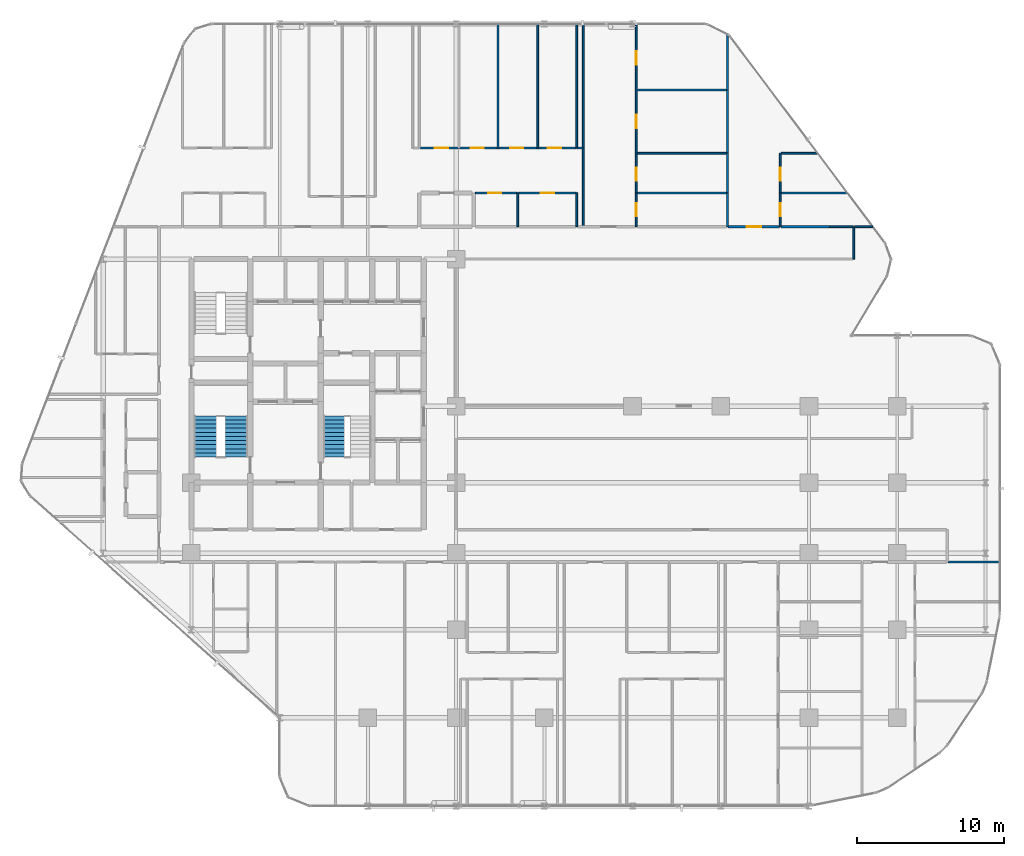
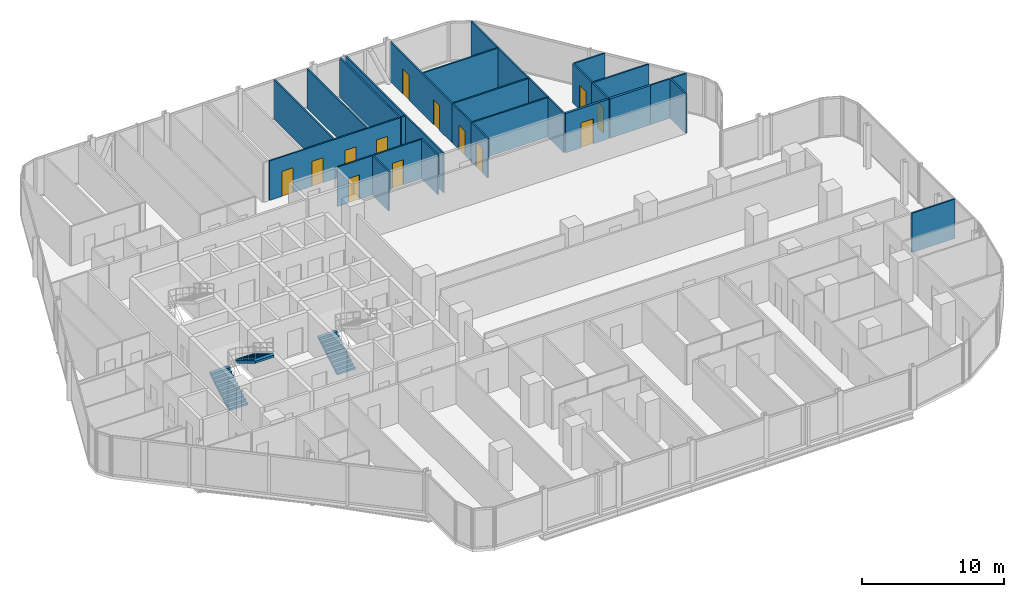
# One storey, part 31 of 34: 29 walls, 13 doors, 3 stair flights, 13 openings, 2 elements without a shape of their own.
"""IFC4 building model written with IfcOpenShell, lengths in metres."""

from ifc_helpers import new_model, si_unit, direction, frame, frame_2d, origin, place, context, subcontext, project, spatial, polyline, rectangle, outline, extrude, material, layer, layer_set, type_object, element, fill, aggregate, save


model = new_model("IFC4")

# Units and contexts
model_context = context("Model", 3, precision=1e-05, world=origin(), true_north=direction((0.0, 1.0)))
body_context = subcontext(model_context, "Body", "Model", "MODEL_VIEW")
ifc_project = project(units=[si_unit("LENGTHUNIT", "METRE"), si_unit("AREAUNIT", "SQUARE_METRE"), si_unit("VOLUMEUNIT", "CUBIC_METRE"), si_unit("PLANEANGLEUNIT", "RADIAN"), si_unit("MASSUNIT", "GRAM", prefix="KILO")], contexts=[model_context])

# Site, building, storey
site_placement = place(None, origin())
site = spatial("IfcSite", under=ifc_project, at=site_placement, CompositionType="ELEMENT")
building_placement = place(site_placement, origin())
building = spatial("IfcBuilding", under=site, at=building_placement, Name="Keshet Zoharim Tower", CompositionType="ELEMENT")
storey_placement = place(building_placement, frame((0.0, 0.0, 70.10009765625)))
storey = spatial("IfcBuildingStorey", under=building, at=storey_placement, Name="L16", CompositionType="ELEMENT", Elevation=70.10009765625)

# Wall, opening, door
ifc_material_1 = material(Name="Gypsum Plasterboard", Category="gypsum")
ifc_layer_1 = layer(ifc_material_1, 0.179931640625)
ifc_layer_set_1 = layer_set([ifc_layer_1], Name="Gypsum Plasterboard")
wall_type_1 = type_object("IfcWallType", Name="WL-CORR-180", PredefinedType="STANDARD", material=ifc_layer_set_1)
wall_1_placement = place(storey_placement, frame((51.4951171875, 40.10009765625, 0.0), z_axis=(0.0, 0.0, 1.0), x_axis=(1.0, 0.0, 0.0)))
wall_1 = element("IfcWall", 1, at=wall_1_placement, inside=storey, type_object=wall_type_1, Name="L16 Interior Wall 199", PredefinedType="STANDARD", context=body_context, shape_type="SweptSolid", body=[
    extrude(rectangle(XDim=3.509765625, YDim=0.179931640625, at=frame_2d((1.7548828125, 0.0))), origin(), (0.0, 0.0, 1.0), 3.385009765625),
])
opening_1_placement = place(wall_1_placement, frame((1.2548828125, 0.0, 0.0)))
opening_1 = element("IfcOpeningElement", 2, at=opening_1_placement, cuts=wall_1, Name="Opening D-F310", PredefinedType="OPENING", context=body_context, shape_type="SweptSolid", body=[
    extrude(rectangle(XDim=1.0, YDim=2.14990234375, at=frame_2d((0.5, 1.074951171875))), frame((0.0, 0.10009765625, 0.0), z_axis=(0.0, -1.0, 0.0), x_axis=(1.0, 0.0, 0.0)), (0.0, 0.0, 1.0), 0.199951171875),
])
ifc_material_2 = material(Name="Hardwood Timber", Category="wood")
door_type_1 = type_object("IfcDoorType", Name="DR-FD30-100", OperationType="NOTDEFINED", PredefinedType="DOOR", material=ifc_material_2)
door_1_placement = place(opening_1_placement, origin())
door_1 = element("IfcDoor", 3, at=door_1_placement, inside=storey, type_object=door_type_1, Name="Apartment 1609 Entrance Door", OperationType="SINGLE_SWING_LEFT", OverallHeight=2.14990234375, OverallWidth=1.0, PredefinedType="DOOR", context=body_context, shape_type="SweptSolid", body=[
    extrude(rectangle(XDim=1.0, YDim=2.14990234375, at=frame_2d((0.5, 1.074951171875))), frame((0.0, 0.02490234375, 0.0), z_axis=(0.0, -1.0, 0.0), x_axis=(1.0, 0.0, 0.0)), (0.0, 0.0, 1.0), 0.050048828125),
])
fill(opening_1, door_1)

# Walls
wall_2_placement = place(storey_placement, frame((55.094970703125, 40.10009765625, 0.0), z_axis=(0.0, 0.0, 1.0), x_axis=(1.0, 0.0, 0.0)))
element("IfcWall", 4, at=wall_2_placement, inside=storey, type_object=wall_type_1, Name="L16 Interior Wall 200", PredefinedType="STANDARD", context=body_context, shape_type="SweptSolid", body=[
    extrude(rectangle(XDim=3.304931640625, YDim=0.179931640625, at=frame_2d((1.65234375, 0.0))), origin(), (0.0, 0.0, 1.0), 3.385009765625),
])
ifc_layer_2 = layer(ifc_material_1, 0.1201171875)
ifc_layer_set_2 = layer_set([ifc_layer_2], Name="Gypsum Plasterboard")
wall_type_2 = type_object("IfcWallType", Name="WL-PART-120", PredefinedType="PARTITIONING", material=ifc_layer_set_2)
for number, where, z_axis, x_axis, name in (
    (5, (35.85009765625, 45.449951171875, 0.0), (0.0, 0.0, 1.0), (0.0, 1.0, 0.0), "L16 Interior Wall 075"),
    (6, (38.550048828125, 45.449951171875, 0.0), (0.0, 0.0, 1.0), (0.0, 1.0, 0.0), "L16 Interior Wall 079"),
):
    element("IfcWall", number, at=place(storey_placement, frame(where, z_axis=z_axis, x_axis=x_axis)), inside=storey, type_object=wall_type_2, Name=name, PredefinedType="PARTITIONING", context=body_context, shape_type="SweptSolid", body=[
        extrude(rectangle(XDim=8.43994140625, YDim=0.1201171875, at=frame_2d((4.219970703125, 0.0))), origin(), (0.0, 0.0, 1.0), 3.385009765625),
    ])
wall_3_placement = place(storey_placement, frame((41.199951171875, 40.10009765625, 0.0), z_axis=(0.0, 0.0, 1.0), x_axis=(0.0, 1.0, 0.0)))
element("IfcWall", 7, at=wall_3_placement, inside=storey, type_object=wall_type_2, Name="L16 Interior Wall 083", PredefinedType="PARTITIONING", context=body_context, shape_type="SweptSolid", body=[
    extrude(rectangle(XDim=2.2998046875, YDim=0.1201171875, at=frame_2d((1.14990234375, 0.0))), origin(), (0.0, 0.0, 1.0), 3.385009765625),
])
wall_4_placement = place(storey_placement, frame((41.199951171875, 45.449951171875, 0.0), z_axis=(0.0, 0.0, 1.0), x_axis=(0.0, 1.0, 0.0)))
element("IfcWall", 8, at=wall_4_placement, inside=storey, type_object=wall_type_2, Name="L16 Interior Wall 084", PredefinedType="PARTITIONING", context=body_context, shape_type="SweptSolid", body=[
    extrude(rectangle(XDim=8.43994140625, YDim=0.1201171875, at=frame_2d((4.219970703125, 0.0))), origin(), (0.0, 0.0, 1.0), 3.385009765625),
])
wall_5_placement = place(storey_placement, frame((41.64990234375, 40.10009765625, 0.0), z_axis=(0.0, 0.0, 1.0), x_axis=(0.0, 1.0, 0.0)))
element("IfcWall", 9, at=wall_5_placement, inside=storey, type_object=wall_type_2, Name="L16 Interior Wall 085", PredefinedType="PARTITIONING", context=body_context, shape_type="SweptSolid", body=[
    extrude(rectangle(XDim=13.789794921875, YDim=0.1201171875, at=frame_2d((6.89501953125, 0.0))), origin(), (0.0, 0.0, 1.0), 3.385009765625),
])

# Wall, opening, door
wall_6_placement = place(storey_placement, frame((45.25, 40.10009765625, 0.0), z_axis=(0.0, 0.0, 1.0), x_axis=(0.0, 1.0, 0.0)))
wall_6 = element("IfcWall", 10, at=wall_6_placement, inside=storey, type_object=wall_type_2, Name="L16 Interior Wall 089", PredefinedType="PARTITIONING", context=body_context, shape_type="SweptSolid", body=[
    extrude(rectangle(XDim=2.2998046875, YDim=0.1201171875, at=frame_2d((1.14990234375, 0.0))), origin(), (0.0, 0.0, 1.0), 3.385009765625),
])
opening_2_placement = place(wall_6_placement, frame((0.699951171875, 0.0, 0.0)))
opening_2 = element("IfcOpeningElement", 11, at=opening_2_placement, cuts=wall_6, Name="Opening D-IN90", PredefinedType="OPENING", context=body_context, shape_type="SweptSolid", body=[
    extrude(rectangle(XDim=0.89990234375, YDim=2.14990234375, at=frame_2d((0.449951171875, 1.074951171875))), frame((0.0, 0.070068359375, 0.0), z_axis=(0.0, -1.0, 0.0), x_axis=(1.0, 0.0, 0.0)), (0.0, 0.0, 1.0), 0.14013671875),
])
door_type_2 = type_object("IfcDoorType", Name="DR-INT-090", OperationType="NOTDEFINED", PredefinedType="DOOR", material=ifc_material_2)
door_2_placement = place(opening_2_placement, origin())
door_2 = element("IfcDoor", 12, at=door_2_placement, inside=storey, type_object=door_type_2, Name="Apartment 1608 Kitchen Door", OperationType="SINGLE_SWING_RIGHT", OverallHeight=2.14990234375, OverallWidth=0.89990234375, PredefinedType="DOOR", context=body_context, shape_type="SweptSolid", body=[
    extrude(rectangle(XDim=0.89990234375, YDim=2.14990234375, at=frame_2d((0.449951171875, 1.074951171875))), frame((0.0, 0.02490234375, 0.0), z_axis=(0.0, -1.0, 0.0), x_axis=(1.0, 0.0, 0.0)), (0.0, 0.0, 1.0), 0.050048828125),
])
fill(opening_2, door_2)

# Wall, openings, doors
wall_7_placement = place(storey_placement, frame((45.25, 45.10009765625, 0.0), z_axis=(0.0, 0.0, 1.0), x_axis=(0.0, 1.0, 0.0)))
wall_7 = element("IfcWall", 13, at=wall_7_placement, inside=storey, type_object=wall_type_2, Name="L16 Interior Wall 091", PredefinedType="PARTITIONING", context=body_context, shape_type="SweptSolid", body=[
    extrude(rectangle(XDim=8.789794921875, YDim=0.1201171875, at=frame_2d((4.39501953125, 0.0))), origin(), (0.0, 0.0, 1.0), 3.385009765625),
])
opening_3_placement = place(wall_7_placement, frame((1.7119140625, 0.0, 0.0)))
opening_3 = element("IfcOpeningElement", 14, at=opening_3_placement, cuts=wall_7, Name="Opening D-IN90", PredefinedType="OPENING", context=body_context, shape_type="SweptSolid", body=[
    extrude(rectangle(XDim=0.89990234375, YDim=2.14990234375, at=frame_2d((0.449951171875, 1.074951171875))), frame((0.0, 0.070068359375, 0.0), z_axis=(0.0, -1.0, 0.0), x_axis=(1.0, 0.0, 0.0)), (0.0, 0.0, 1.0), 0.14013671875),
])
opening_4_placement = place(wall_7_placement, frame((6.030029296875, 0.0, 0.0)))
opening_4 = element("IfcOpeningElement", 15, at=opening_4_placement, cuts=wall_7, Name="Opening D-IN90", PredefinedType="OPENING", context=body_context, shape_type="SweptSolid", body=[
    extrude(rectangle(XDim=0.89990234375, YDim=2.14990234375, at=frame_2d((0.449951171875, 1.074951171875))), frame((0.0, 0.070068359375, 0.0), z_axis=(0.0, -1.0, 0.0), x_axis=(1.0, 0.0, 0.0)), (0.0, 0.0, 1.0), 0.14013671875),
])
door_3_placement = place(opening_3_placement, origin())
door_3 = element("IfcDoor", 16, at=door_3_placement, inside=storey, type_object=door_type_2, Name="Apartment 1608 Bedroom 1 Door", OperationType="SINGLE_SWING_RIGHT", OverallHeight=2.14990234375, OverallWidth=0.89990234375, PredefinedType="DOOR", context=body_context, shape_type="SweptSolid", body=[
    extrude(rectangle(XDim=0.89990234375, YDim=2.14990234375, at=frame_2d((0.449951171875, 1.074951171875))), frame((0.0, 0.02490234375, 0.0), z_axis=(0.0, -1.0, 0.0), x_axis=(1.0, 0.0, 0.0)), (0.0, 0.0, 1.0), 0.050048828125),
])
fill(opening_3, door_3)
door_4_placement = place(opening_4_placement, origin())
door_4 = element("IfcDoor", 17, at=door_4_placement, inside=storey, type_object=door_type_2, Name="Apartment 1608 Bedroom 2 Door", OperationType="SINGLE_SWING_LEFT", OverallHeight=2.14990234375, OverallWidth=0.89990234375, PredefinedType="DOOR", context=body_context, shape_type="SweptSolid", body=[
    extrude(rectangle(XDim=0.89990234375, YDim=2.14990234375, at=frame_2d((0.449951171875, 1.074951171875))), frame((0.0, 0.02490234375, 0.0), z_axis=(0.0, -1.0, 0.0), x_axis=(1.0, 0.0, 0.0)), (0.0, 0.0, 1.0), 0.050048828125),
])
fill(opening_4, door_4)

# Walls
wall_8_placement = place(storey_placement, frame((51.449951171875, 40.10009765625, 0.0), z_axis=(0.0, 0.0, 1.0), x_axis=(0.0, 1.0, 0.0)))
element("IfcWall", 18, at=wall_8_placement, inside=storey, type_object=wall_type_2, Name="L16 Interior Wall 097", PredefinedType="PARTITIONING", context=body_context, shape_type="SweptSolid", body=[
    extrude(rectangle(XDim=2.2998046875, YDim=0.1201171875, at=frame_2d((1.14990234375, 0.0))), origin(), (0.0, 0.0, 1.0), 3.385009765625),
])
wall_9_placement = place(storey_placement, frame((51.449951171875, 45.10009765625, 0.0), z_axis=(0.0, 0.0, 1.0), x_axis=(0.0, 1.0, 0.0)))
element("IfcWall", 19, at=wall_9_placement, inside=storey, type_object=wall_type_2, Name="L16 Interior Wall 099", PredefinedType="PARTITIONING", context=body_context, shape_type="SweptSolid", body=[
    extrude(rectangle(XDim=8.06494140625, YDim=0.1201171875, at=frame_2d((4.032470703125, 0.0))), origin(), (0.0, 0.0, 1.0), 3.385009765625),
])

# Wall, opening, door
wall_10_placement = place(storey_placement, frame((55.050048828125, 40.10009765625, 0.0), z_axis=(0.0, 0.0, 1.0), x_axis=(0.0, 1.0, 0.0)))
wall_10 = element("IfcWall", 20, at=wall_10_placement, inside=storey, type_object=wall_type_2, Name="L16 Interior Wall 103", PredefinedType="PARTITIONING", context=body_context, shape_type="SweptSolid", body=[
    extrude(rectangle(XDim=2.2998046875, YDim=0.1201171875, at=frame_2d((1.14990234375, 0.0))), origin(), (0.0, 0.0, 1.0), 3.385009765625),
])
opening_5_placement = place(wall_10_placement, frame((0.699951171875, 0.0, 0.0)))
opening_5 = element("IfcOpeningElement", 21, at=opening_5_placement, cuts=wall_10, Name="Opening D-IN90", PredefinedType="OPENING", context=body_context, shape_type="SweptSolid", body=[
    extrude(rectangle(XDim=0.89990234375, YDim=2.14990234375, at=frame_2d((0.449951171875, 1.074951171875))), frame((0.0, 0.070068359375, 0.0), z_axis=(0.0, -1.0, 0.0), x_axis=(1.0, 0.0, 0.0)), (0.0, 0.0, 1.0), 0.14013671875),
])
door_5_placement = place(opening_5_placement, origin())
door_5 = element("IfcDoor", 22, at=door_5_placement, inside=storey, type_object=door_type_2, Name="Apartment 1609 Kitchen Door", OperationType="SINGLE_SWING_LEFT", OverallHeight=2.14990234375, OverallWidth=0.89990234375, PredefinedType="DOOR", context=body_context, shape_type="SweptSolid", body=[
    extrude(rectangle(XDim=0.89990234375, YDim=2.14990234375, at=frame_2d((0.449951171875, 1.074951171875))), frame((0.0, 0.02490234375, 0.0), z_axis=(0.0, -1.0, 0.0), x_axis=(1.0, 0.0, 0.0)), (0.0, 0.0, 1.0), 0.050048828125),
])
fill(opening_5, door_5)

# Walls
wall_11_placement = place(storey_placement, frame((60.050048828125, 37.889892578125, 0.0), z_axis=(0.0, 0.0, 1.0), x_axis=(0.0, 1.0, 0.0)))
element("IfcWall", 23, at=wall_11_placement, inside=storey, type_object=wall_type_2, Name="L16 Interior Wall 105", PredefinedType="PARTITIONING", context=body_context, shape_type="SweptSolid", body=[
    extrude(rectangle(XDim=2.2001953125, YDim=0.1201171875, at=frame_2d((1.10009765625, 0.0))), origin(), (0.0, 0.0, 1.0), 3.385009765625),
])
wall_12_placement = place(storey_placement, frame((58.39990234375, 40.10009765625, 0.0), z_axis=(0.0, 0.0, 1.0), x_axis=(1.0, 0.0, 0.0)))
element("IfcWall", 24, at=wall_12_placement, inside=storey, type_object=wall_type_2, Name="L16 Interior Wall 201", PredefinedType="PARTITIONING", context=body_context, shape_type="SweptSolid", body=[
    extrude(rectangle(XDim=1.60498046875, YDim=0.1201171875, at=frame_2d((0.802490234375, 0.0))), origin(), (0.0, 0.0, 1.0), 3.385009765625),
])
wall_13_placement = place(storey_placement, frame((60.094970703125, 40.10009765625, 0.0), z_axis=(0.0, 0.0, 1.0), x_axis=(1.0, 0.0, 0.0)))
element("IfcWall", 25, at=wall_13_placement, inside=storey, type_object=wall_type_2, Name="L16 Interior Wall 202", PredefinedType="PARTITIONING", context=body_context, shape_type="SweptSolid", body=[
    extrude(rectangle(XDim=1.2451171875, YDim=0.1201171875, at=frame_2d((0.62255859375, 0.0))), origin(), (0.0, 0.0, 1.0), 3.385009765625),
])

# Wall, opening, door
wall_14_placement = place(storey_placement, frame((37.25, 42.39990234375, 0.0), z_axis=(0.0, 0.0, 1.0), x_axis=(1.0, 0.0, 0.0)))
wall_14 = element("IfcWall", 26, at=wall_14_placement, inside=storey, type_object=wall_type_2, Name="L16 Interior Wall 208", PredefinedType="PARTITIONING", context=body_context, shape_type="SweptSolid", body=[
    extrude(rectangle(XDim=3.9150390625, YDim=0.1201171875, at=frame_2d((1.95751953125, 0.0))), origin(), (0.0, 0.0, 1.0), 3.385009765625),
])
opening_6_placement = place(wall_14_placement, frame((1.508056640625, 0.0, 0.0)))
opening_6 = element("IfcOpeningElement", 27, at=opening_6_placement, cuts=wall_14, Name="Opening D-IN90", PredefinedType="OPENING", context=body_context, shape_type="SweptSolid", body=[
    extrude(rectangle(XDim=0.89990234375, YDim=2.14990234375, at=frame_2d((0.449951171875, 1.074951171875))), frame((0.0, 0.070068359375, 0.0), z_axis=(0.0, -1.0, 0.0), x_axis=(1.0, 0.0, 0.0)), (0.0, 0.0, 1.0), 0.14013671875),
])
door_6_placement = place(opening_6_placement, origin())
door_6 = element("IfcDoor", 28, at=door_6_placement, inside=storey, type_object=door_type_2, Name="Apartment 1607 Kitchen Door", OperationType="SINGLE_SWING_RIGHT", OverallHeight=2.14990234375, OverallWidth=0.89990234375, PredefinedType="DOOR", context=body_context, shape_type="SweptSolid", body=[
    extrude(rectangle(XDim=0.89990234375, YDim=2.14990234375, at=frame_2d((0.449951171875, 1.074951171875))), frame((0.0, 0.02490234375, 0.0), z_axis=(0.0, -1.0, 0.0), x_axis=(1.0, 0.0, 0.0)), (0.0, 0.0, 1.0), 0.050048828125),
])
fill(opening_6, door_6)

# Wall, openings, doors
wall_15_placement = place(storey_placement, frame((30.544921875, 45.449951171875, 0.0), z_axis=(0.0, 0.0, 1.0), x_axis=(1.0, 0.0, 0.0)))
wall_15 = element("IfcWall", 29, at=wall_15_placement, inside=storey, type_object=wall_type_2, Name="L16 Interior Wall 216", PredefinedType="PARTITIONING", context=body_context, shape_type="SweptSolid", body=[
    extrude(rectangle(XDim=10.6201171875, YDim=0.1201171875, at=frame_2d((5.31005859375, 0.0))), origin(), (0.0, 0.0, 1.0), 3.385009765625),
])
opening_7_placement = place(wall_15_placement, frame((1.01904296875, 0.0, 0.0)))
opening_7 = element("IfcOpeningElement", 30, at=opening_7_placement, cuts=wall_15, Name="Opening D-IN90", PredefinedType="OPENING", context=body_context, shape_type="SweptSolid", body=[
    extrude(rectangle(XDim=0.89990234375, YDim=2.14990234375, at=frame_2d((0.449951171875, 1.074951171875))), frame((0.0, 0.070068359375, 0.0), z_axis=(0.0, -1.0, 0.0), x_axis=(1.0, 0.0, 0.0)), (0.0, 0.0, 1.0), 0.14013671875),
])
opening_8_placement = place(wall_15_placement, frame((3.449951171875, 0.0, 0.0)))
opening_8 = element("IfcOpeningElement", 31, at=opening_8_placement, cuts=wall_15, Name="Opening D-IN90", PredefinedType="OPENING", context=body_context, shape_type="SweptSolid", body=[
    extrude(rectangle(XDim=0.89990234375, YDim=2.14990234375, at=frame_2d((0.449951171875, 1.074951171875))), frame((0.0, 0.070068359375, 0.0), z_axis=(0.0, -1.0, 0.0), x_axis=(1.0, 0.0, 0.0)), (0.0, 0.0, 1.0), 0.14013671875),
])
opening_9_placement = place(wall_15_placement, frame((6.126953125, 0.0, 0.0)))
opening_9 = element("IfcOpeningElement", 32, at=opening_9_placement, cuts=wall_15, Name="Opening D-IN90", PredefinedType="OPENING", context=body_context, shape_type="SweptSolid", body=[
    extrude(rectangle(XDim=0.89990234375, YDim=2.14990234375, at=frame_2d((0.449951171875, 1.074951171875))), frame((0.0, 0.070068359375, 0.0), z_axis=(0.0, -1.0, 0.0), x_axis=(1.0, 0.0, 0.0)), (0.0, 0.0, 1.0), 0.14013671875),
])
opening_10_placement = place(wall_15_placement, frame((8.700927734375, 0.0, 0.0)))
opening_10 = element("IfcOpeningElement", 33, at=opening_10_placement, cuts=wall_15, Name="Opening D-IN90", PredefinedType="OPENING", context=body_context, shape_type="SweptSolid", body=[
    extrude(rectangle(XDim=0.89990234375, YDim=2.14990234375, at=frame_2d((0.449951171875, 1.074951171875))), frame((0.0, 0.070068359375, 0.0), z_axis=(0.0, -1.0, 0.0), x_axis=(1.0, 0.0, 0.0)), (0.0, 0.0, 1.0), 0.14013671875),
])
door_7_placement = place(opening_7_placement, origin())
door_7 = element("IfcDoor", 34, at=door_7_placement, inside=storey, type_object=door_type_2, Name="Apartment 1607 Bedroom 1 Door", OperationType="SINGLE_SWING_LEFT", OverallHeight=2.14990234375, OverallWidth=0.89990234375, PredefinedType="DOOR", context=body_context, shape_type="SweptSolid", body=[
    extrude(rectangle(XDim=0.89990234375, YDim=2.14990234375, at=frame_2d((0.449951171875, 1.074951171875))), frame((0.0, 0.02490234375, 0.0), z_axis=(0.0, -1.0, 0.0), x_axis=(1.0, 0.0, 0.0)), (0.0, 0.0, 1.0), 0.050048828125),
])
fill(opening_7, door_7)
door_8_placement = place(opening_8_placement, origin())
door_8 = element("IfcDoor", 35, at=door_8_placement, inside=storey, type_object=door_type_2, Name="Apartment 1607 Bedroom 2 Door", OperationType="SINGLE_SWING_RIGHT", OverallHeight=2.14990234375, OverallWidth=0.89990234375, PredefinedType="DOOR", context=body_context, shape_type="SweptSolid", body=[
    extrude(rectangle(XDim=0.89990234375, YDim=2.14990234375, at=frame_2d((0.449951171875, 1.074951171875))), frame((0.0, 0.02490234375, 0.0), z_axis=(0.0, -1.0, 0.0), x_axis=(1.0, 0.0, 0.0)), (0.0, 0.0, 1.0), 0.050048828125),
])
fill(opening_8, door_8)
door_9_placement = place(opening_9_placement, origin())
door_9 = element("IfcDoor", 36, at=door_9_placement, inside=storey, type_object=door_type_2, Name="Apartment 1607 Bedroom 3 Door", OperationType="SINGLE_SWING_LEFT", OverallHeight=2.14990234375, OverallWidth=0.89990234375, PredefinedType="DOOR", context=body_context, shape_type="SweptSolid", body=[
    extrude(rectangle(XDim=0.89990234375, YDim=2.14990234375, at=frame_2d((0.449951171875, 1.074951171875))), frame((0.0, 0.02490234375, 0.0), z_axis=(0.0, -1.0, 0.0), x_axis=(1.0, 0.0, 0.0)), (0.0, 0.0, 1.0), 0.050048828125),
])
fill(opening_9, door_9)
door_10_placement = place(opening_10_placement, origin())
door_10 = element("IfcDoor", 37, at=door_10_placement, inside=storey, type_object=door_type_2, Name="Apartment 1607 Bedroom 4 Door", OperationType="SINGLE_SWING_RIGHT", OverallHeight=2.14990234375, OverallWidth=0.89990234375, PredefinedType="DOOR", context=body_context, shape_type="SweptSolid", body=[
    extrude(rectangle(XDim=0.89990234375, YDim=2.14990234375, at=frame_2d((0.449951171875, 1.074951171875))), frame((0.0, 0.02490234375, 0.0), z_axis=(0.0, -1.0, 0.0), x_axis=(1.0, 0.0, 0.0)), (0.0, 0.0, 1.0), 0.050048828125),
])
fill(opening_10, door_10)

# Walls
wall_16_placement = place(storey_placement, frame((41.2548828125, 45.449951171875, 0.0), z_axis=(0.0, 0.0, 1.0), x_axis=(1.0, 0.0, 0.0)))
element("IfcWall", 38, at=wall_16_placement, inside=storey, type_object=wall_type_2, Name="L16 Interior Wall 217", PredefinedType="PARTITIONING", context=body_context, shape_type="SweptSolid", body=[
    extrude(rectangle(XDim=0.360107421875, YDim=0.1201171875, at=frame_2d((0.18017578125, 0.0))), origin(), (0.0, 0.0, 1.0), 3.385009765625),
])
wall_17_placement = place(storey_placement, frame((45.304931640625, 49.39990234375, 0.0), z_axis=(0.0, 0.0, 1.0), x_axis=(1.0, 0.0, 0.0)))
element("IfcWall", 39, at=wall_17_placement, inside=storey, type_object=wall_type_2, Name="L16 Interior Wall 218", PredefinedType="PARTITIONING", context=body_context, shape_type="SweptSolid", body=[
    extrude(rectangle(XDim=6.10009765625, YDim=0.1201171875, at=frame_2d((3.050048828125, 0.0))), origin(), (0.0, 0.0, 1.0), 3.385009765625),
])
ifc_layer_3 = layer(ifc_material_1, 0.1201171875)
ifc_layer_set_3 = layer_set([ifc_layer_3], Name="Gypsum Plasterboard")
wall_type_3 = type_object("IfcWallType", Name="WL-WET-120", PredefinedType="PARTITIONING", material=ifc_layer_set_3)
wall_18_placement = place(storey_placement, frame((37.199951171875, 40.10009765625, 0.0), z_axis=(0.0, 0.0, 1.0), x_axis=(0.0, 1.0, 0.0)))
element("IfcWall", 40, at=wall_18_placement, inside=storey, type_object=wall_type_3, Name="L16 Interior Wall 078", PredefinedType="PARTITIONING", context=body_context, shape_type="SweptSolid", body=[
    extrude(rectangle(XDim=2.2998046875, YDim=0.1201171875, at=frame_2d((1.14990234375, 0.0))), origin(), (0.0, 0.0, 1.0), 3.385009765625),
])

# Wall, opening, door
wall_19_placement = place(storey_placement, frame((45.25, 42.39990234375, 0.0), z_axis=(0.0, 0.0, 1.0), x_axis=(0.0, 1.0, 0.0)))
wall_19 = element("IfcWall", 41, at=wall_19_placement, inside=storey, type_object=wall_type_3, Name="L16 Interior Wall 090", PredefinedType="PARTITIONING", context=body_context, shape_type="SweptSolid", body=[
    extrude(rectangle(XDim=2.7001953125, YDim=0.1201171875, at=frame_2d((1.35009765625, 0.0))), origin(), (0.0, 0.0, 1.0), 3.385009765625),
])
opening_11_placement = place(wall_19_placement, frame((0.827880859375, 0.0, 0.0)))
opening_11 = element("IfcOpeningElement", 42, at=opening_11_placement, cuts=wall_19, Name="Opening D-WT90", PredefinedType="OPENING", context=body_context, shape_type="SweptSolid", body=[
    extrude(rectangle(XDim=0.89990234375, YDim=2.10009765625, at=frame_2d((0.449951171875, 1.050048828125))), frame((0.0, 0.070068359375, 0.0), z_axis=(0.0, -1.0, 0.0), x_axis=(1.0, 0.0, 0.0)), (0.0, 0.0, 1.0), 0.14013671875),
])
door_type_3 = type_object("IfcDoorType", Name="DR-WET-090", OperationType="NOTDEFINED", PredefinedType="DOOR", material=ifc_material_2)
door_11_placement = place(opening_11_placement, origin())
door_11 = element("IfcDoor", 43, at=door_11_placement, inside=storey, type_object=door_type_3, Name="Apartment 1608 Bathroom Door", OperationType="SINGLE_SWING_LEFT", OverallHeight=2.10009765625, OverallWidth=0.89990234375, PredefinedType="DOOR", context=body_context, shape_type="SweptSolid", body=[
    extrude(rectangle(XDim=0.89990234375, YDim=2.10009765625, at=frame_2d((0.449951171875, 1.050048828125))), frame((0.0, 0.02490234375, 0.0), z_axis=(0.0, -1.0, 0.0), x_axis=(1.0, 0.0, 0.0)), (0.0, 0.0, 1.0), 0.050048828125),
])
fill(opening_11, door_11)

# Wall
wall_20_placement = place(storey_placement, frame((51.449951171875, 42.39990234375, 0.0), z_axis=(0.0, 0.0, 1.0), x_axis=(0.0, 1.0, 0.0)))
element("IfcWall", 44, at=wall_20_placement, inside=storey, type_object=wall_type_3, Name="L16 Interior Wall 098", PredefinedType="PARTITIONING", context=body_context, shape_type="SweptSolid", body=[
    extrude(rectangle(XDim=2.7001953125, YDim=0.1201171875, at=frame_2d((1.35009765625, 0.0))), origin(), (0.0, 0.0, 1.0), 3.385009765625),
])

# Wall, opening, door
wall_21_placement = place(storey_placement, frame((55.050048828125, 42.39990234375, 0.0), z_axis=(0.0, 0.0, 1.0), x_axis=(0.0, 1.0, 0.0)))
wall_21 = element("IfcWall", 45, at=wall_21_placement, inside=storey, type_object=wall_type_3, Name="L16 Interior Wall 104", PredefinedType="PARTITIONING", context=body_context, shape_type="SweptSolid", body=[
    extrude(rectangle(XDim=2.7001953125, YDim=0.1201171875, at=frame_2d((1.35009765625, 0.0))), origin(), (0.0, 0.0, 1.0), 3.385009765625),
])
opening_12_placement = place(wall_21_placement, frame((0.827880859375, 0.0, 0.0)))
opening_12 = element("IfcOpeningElement", 46, at=opening_12_placement, cuts=wall_21, Name="Opening D-WT90", PredefinedType="OPENING", context=body_context, shape_type="SweptSolid", body=[
    extrude(rectangle(XDim=0.89990234375, YDim=2.10009765625, at=frame_2d((0.449951171875, 1.050048828125))), frame((0.0, 0.070068359375, 0.0), z_axis=(0.0, -1.0, 0.0), x_axis=(1.0, 0.0, 0.0)), (0.0, 0.0, 1.0), 0.14013671875),
])
door_12_placement = place(opening_12_placement, origin())
door_12 = element("IfcDoor", 47, at=door_12_placement, inside=storey, type_object=door_type_3, Name="Apartment 1609 Bathroom Door", OperationType="SINGLE_SWING_RIGHT", OverallHeight=2.10009765625, OverallWidth=0.89990234375, PredefinedType="DOOR", context=body_context, shape_type="SweptSolid", body=[
    extrude(rectangle(XDim=0.89990234375, YDim=2.10009765625, at=frame_2d((0.449951171875, 1.050048828125))), frame((0.0, 0.02490234375, 0.0), z_axis=(0.0, -1.0, 0.0), x_axis=(1.0, 0.0, 0.0)), (0.0, 0.0, 1.0), 0.050048828125),
])
fill(opening_12, door_12)

# Wall
wall_22_placement = place(storey_placement, frame((66.469970703125, 17.300048828125, 0.0), z_axis=(0.0, 0.0, 1.0), x_axis=(1.0, 0.0, 0.0)))
element("IfcWall", 48, at=wall_22_placement, inside=storey, type_object=wall_type_3, Name="L16 Interior Wall 149", PredefinedType="PARTITIONING", context=body_context, shape_type="SweptSolid", body=[
    extrude(rectangle(XDim=3.52001953125, YDim=0.1201171875, at=frame_2d((1.760009765625, 0.0))), origin(), (0.0, 0.0, 1.0), 3.385009765625),
])

# Wall, opening, door
wall_23_placement = place(storey_placement, frame((34.31591796875, 42.39990234375, 0.0), z_axis=(0.0, 0.0, 1.0), x_axis=(1.0, 0.0, 0.0)))
wall_23 = element("IfcWall", 49, at=wall_23_placement, inside=storey, type_object=wall_type_3, Name="L16 Interior Wall 207", PredefinedType="PARTITIONING", context=body_context, shape_type="SweptSolid", body=[
    extrude(rectangle(XDim=2.843994140625, YDim=0.1201171875, at=frame_2d((1.421875, 0.0))), origin(), (0.0, 0.0, 1.0), 3.385009765625),
])
opening_13_placement = place(wall_23_placement, frame((0.866943359375, 0.0, 0.0)))
opening_13 = element("IfcOpeningElement", 50, at=opening_13_placement, cuts=wall_23, Name="Opening D-WT90", PredefinedType="OPENING", context=body_context, shape_type="SweptSolid", body=[
    extrude(rectangle(XDim=0.89990234375, YDim=2.10009765625, at=frame_2d((0.449951171875, 1.050048828125))), frame((0.0, 0.070068359375, 0.0), z_axis=(0.0, -1.0, 0.0), x_axis=(1.0, 0.0, 0.0)), (0.0, 0.0, 1.0), 0.14013671875),
])
door_13_placement = place(opening_13_placement, origin())
door_13 = element("IfcDoor", 51, at=door_13_placement, inside=storey, type_object=door_type_3, Name="Apartment 1607 Bathroom Door", OperationType="SINGLE_SWING_LEFT", OverallHeight=2.10009765625, OverallWidth=0.89990234375, PredefinedType="DOOR", context=body_context, shape_type="SweptSolid", body=[
    extrude(rectangle(XDim=0.89990234375, YDim=2.10009765625, at=frame_2d((0.449951171875, 1.050048828125))), frame((0.0, 0.02490234375, 0.0), z_axis=(0.0, -1.0, 0.0), x_axis=(1.0, 0.0, 0.0)), (0.0, 0.0, 1.0), 0.050048828125),
])
fill(opening_13, door_13)

# Walls
wall_24_placement = place(storey_placement, frame((45.304931640625, 42.39990234375, 0.0), z_axis=(0.0, 0.0, 1.0), x_axis=(1.0, 0.0, 0.0)))
element("IfcWall", 52, at=wall_24_placement, inside=storey, type_object=wall_type_3, Name="L16 Interior Wall 209", PredefinedType="PARTITIONING", context=body_context, shape_type="SweptSolid", body=[
    extrude(rectangle(XDim=6.10009765625, YDim=0.1201171875, at=frame_2d((3.050048828125, 0.0))), origin(), (0.0, 0.0, 1.0), 3.385009765625),
])
wall_25_placement = place(storey_placement, frame((55.094970703125, 42.39990234375, 0.0), z_axis=(0.0, 0.0, 1.0), x_axis=(1.0, 0.0, 0.0)))
element("IfcWall", 53, at=wall_25_placement, inside=storey, type_object=wall_type_3, Name="L16 Interior Wall 210", PredefinedType="PARTITIONING", context=body_context, shape_type="SweptSolid", body=[
    extrude(rectangle(XDim=4.52001953125, YDim=0.1201171875, at=frame_2d((2.260009765625, 0.0))), origin(), (0.0, 0.0, 1.0), 3.385009765625),
])
wall_26_placement = place(storey_placement, frame((45.304931640625, 45.10009765625, 0.0), z_axis=(0.0, 0.0, 1.0), x_axis=(1.0, 0.0, 0.0)))
element("IfcWall", 54, at=wall_26_placement, inside=storey, type_object=wall_type_3, Name="L16 Interior Wall 211", PredefinedType="PARTITIONING", context=body_context, shape_type="SweptSolid", body=[
    extrude(rectangle(XDim=6.10009765625, YDim=0.1201171875, at=frame_2d((3.050048828125, 0.0))), origin(), (0.0, 0.0, 1.0), 3.385009765625),
])
wall_27_placement = place(storey_placement, frame((55.094970703125, 45.10009765625, 0.0), z_axis=(0.0, 0.0, 1.0), x_axis=(1.0, 0.0, 0.0)))
element("IfcWall", 55, at=wall_27_placement, inside=storey, type_object=wall_type_3, Name="L16 Interior Wall 212", PredefinedType="PARTITIONING", context=body_context, shape_type="SweptSolid", body=[
    extrude(rectangle(XDim=2.4951171875, YDim=0.1201171875, at=frame_2d((1.24755859375, 0.0))), origin(), (0.0, 0.0, 1.0), 3.385009765625),
])

# Stair, stair flights
ifc_material_3 = material(Name="Concrete C50/60", Category="concrete")
stair_type = type_object("IfcStairType", Name="STR-EXIT-135", PredefinedType="HALF_TURN_STAIR", material=ifc_material_3)
stair_1_placement = place(storey_placement, origin())
stair_1 = element("IfcStair", 56, at=stair_1_placement, inside=storey, type_object=stair_type, Name="L16 Enclosed Exit Stair ST-01", PredefinedType="HALF_TURN_STAIR")
stair_flight_type_1 = type_object("IfcStairFlightType", Name="FLT-PRE-135", PredefinedType="STRAIGHT", material=ifc_material_3)
stair_flight_1_placement = place(storey_placement, frame((15.945068359375, 24.43994140625, 0.0), z_axis=(0.0, 0.0, 1.0), x_axis=(0.0, 1.0, 0.0)))
stair_flight_1 = element("IfcStairFlight", 57, at=stair_flight_1_placement, type_object=stair_flight_type_1, Name="ST-01 flight 1", NumberOfRisers=11, NumberOfTreads=10, PredefinedType="STRAIGHT", RiserHeight=0.168182, TreadLength=0.28, context=body_context, shape_type="SweptSolid", body=[
    extrude(outline(polyline([(0.0, 0.0), (0.0, 0.168212890625), (0.280029296875, 0.168212890625), (0.280029296875, 0.33642578125), (0.56005859375, 0.33642578125), (0.56005859375, 0.504638671875), (0.840087890625, 0.504638671875), (0.840087890625, 0.672607421875), (1.1201171875, 0.672607421875), (1.1201171875, 0.8408203125), (1.39990234375, 0.8408203125), (1.39990234375, 1.009033203125), (1.679931640625, 1.009033203125), (1.679931640625, 1.17724609375), (1.9599609375, 1.17724609375), (1.9599609375, 1.345458984375), (2.239990234375, 1.345458984375), (2.239990234375, 1.513671875), (2.52001953125, 1.513671875), (2.52001953125, 1.681884765625), (2.800048828125, 1.681884765625), (2.800048828125, 1.85009765625), (2.800048828125, 1.495361328125), (0.310546875, 0.0), (0.0, 0.0)])), frame((0.0, 0.76513671875, 0.0), z_axis=(0.0, -1.0, 0.0), x_axis=(1.0, 0.0, 0.0)), (0.0, 0.0, 1.0), 1.530029296875),
])
stair_flight_2_placement = place(storey_placement, frame((18.054931640625, 27.239990234375, 1.849853515625), z_axis=(0.0, 0.0, 1.0), x_axis=(0.0, -1.0, 0.0)))
stair_flight_2 = element("IfcStairFlight", 58, at=stair_flight_2_placement, type_object=stair_flight_type_1, Name="ST-01 flight 2", NumberOfRisers=11, NumberOfTreads=10, PredefinedType="STRAIGHT", RiserHeight=0.168182, TreadLength=0.28, context=body_context, shape_type="SweptSolid", body=[
    extrude(outline(polyline([(0.0, 0.0), (0.0, 0.168212890625), (0.280029296875, 0.168212890625), (0.280029296875, 0.33642578125), (0.56005859375, 0.33642578125), (0.56005859375, 0.504638671875), (0.840087890625, 0.504638671875), (0.840087890625, 0.672607421875), (1.1201171875, 0.672607421875), (1.1201171875, 0.8408203125), (1.39990234375, 0.8408203125), (1.39990234375, 1.009033203125), (1.679931640625, 1.009033203125), (1.679931640625, 1.17724609375), (1.9599609375, 1.17724609375), (1.9599609375, 1.345458984375), (2.239990234375, 1.345458984375), (2.239990234375, 1.513671875), (2.52001953125, 1.513671875), (2.52001953125, 1.681884765625), (2.800048828125, 1.681884765625), (2.800048828125, 1.85009765625), (2.800048828125, 1.495361328125), (0.310546875, 0.0), (0.0, 0.0)])), frame((0.0, 0.76513671875, 0.0), z_axis=(0.0, -1.0, 0.0), x_axis=(1.0, 0.0, 0.0)), (0.0, 0.0, 1.0), 1.530029296875),
])
aggregate(stair_1, [stair_flight_1, stair_flight_2])

# Stair, stair flight
stair_2_placement = place(storey_placement, origin())
stair_2 = element("IfcStair", 59, at=stair_2_placement, inside=storey, type_object=stair_type, Name="L16 Enclosed Exit Stair ST-03", PredefinedType="HALF_TURN_STAIR")
stair_flight_type_2 = type_object("IfcStairFlightType", Name="FLT-PRE-144", PredefinedType="STRAIGHT", material=ifc_material_3)
stair_flight_3_placement = place(storey_placement, frame((24.699951171875, 24.43994140625, 0.0), z_axis=(0.0, 0.0, 1.0), x_axis=(0.0, 1.0, 0.0)))
stair_flight_3 = element("IfcStairFlight", 60, at=stair_flight_3_placement, type_object=stair_flight_type_2, Name="ST-03 flight 1", NumberOfRisers=11, NumberOfTreads=10, PredefinedType="STRAIGHT", RiserHeight=0.168182, TreadLength=0.28, context=body_context, shape_type="SweptSolid", body=[
    extrude(outline(polyline([(0.0, 0.0), (0.0, 0.168212890625), (0.280029296875, 0.168212890625), (0.280029296875, 0.33642578125), (0.56005859375, 0.33642578125), (0.56005859375, 0.504638671875), (0.840087890625, 0.504638671875), (0.840087890625, 0.672607421875), (1.1201171875, 0.672607421875), (1.1201171875, 0.8408203125), (1.39990234375, 0.8408203125), (1.39990234375, 1.009033203125), (1.679931640625, 1.009033203125), (1.679931640625, 1.17724609375), (1.9599609375, 1.17724609375), (1.9599609375, 1.345458984375), (2.239990234375, 1.345458984375), (2.239990234375, 1.513671875), (2.52001953125, 1.513671875), (2.52001953125, 1.681884765625), (2.800048828125, 1.681884765625), (2.800048828125, 1.85009765625), (2.800048828125, 1.495361328125), (0.310546875, 0.0), (0.0, 0.0)])), frame((0.0, 0.719970703125, 0.0), z_axis=(0.0, -1.0, 0.0), x_axis=(1.0, 0.0, 0.0)), (0.0, 0.0, 1.0), 1.43994140625),
])
aggregate(stair_2, [stair_flight_3])

save(model, "model.ifc")
